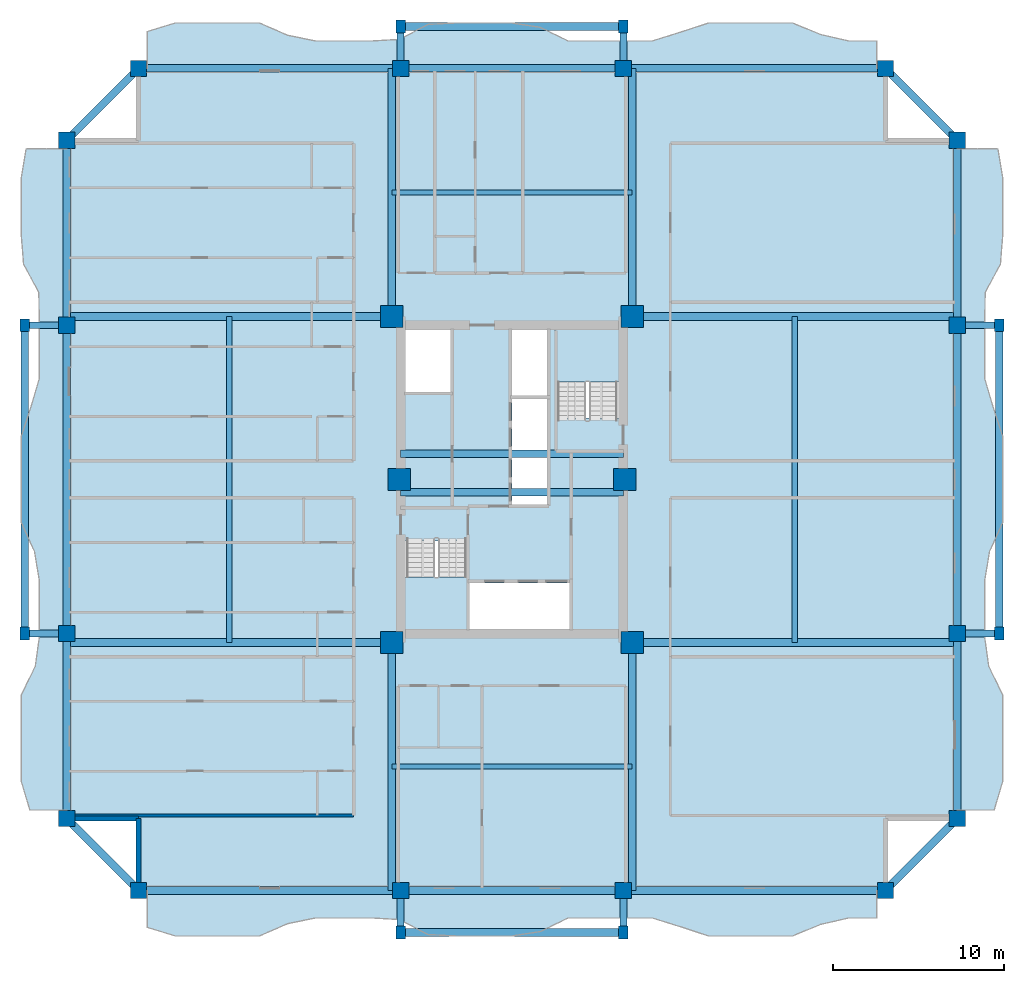
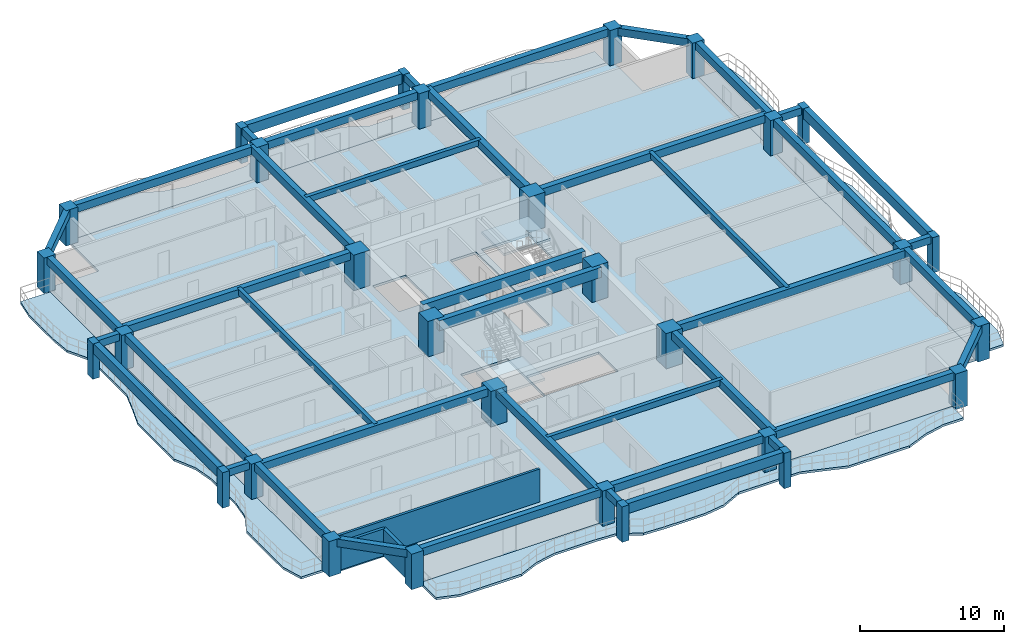
# One storey, part 1 of 11: 42 beams, 30 columns, 7 slabs, 3 walls, 2 elements without a shape of their own.
"""IFC4 building model written with IfcOpenShell, lengths in metres."""

from ifc_helpers import new_model, si_unit, direction, frame, frame_2d, origin, origin_2d, place, context, subcontext, project, spatial, polyline, rectangle, outline, extrude, source, transform, mapped, material, layer, layer_set, material_profile, profile_set, type_object, element, aggregate, save


model = new_model("IFC4")

# Units and contexts
model_context = context("Model", 3, precision=1e-05, world=origin(), true_north=direction((0.0, 1.0)))
body_context = subcontext(model_context, "Body", "Model", "MODEL_VIEW")
ifc_project = project(units=[si_unit("LENGTHUNIT", "METRE"), si_unit("AREAUNIT", "SQUARE_METRE"), si_unit("VOLUMEUNIT", "CUBIC_METRE"), si_unit("PLANEANGLEUNIT", "RADIAN"), si_unit("MASSUNIT", "GRAM", prefix="KILO")], contexts=[model_context])

# Site, building, storey
site_placement = place(None, origin())
site = spatial("IfcSite", under=ifc_project, at=site_placement, CompositionType="ELEMENT")
building_placement = place(site_placement, origin())
building = spatial("IfcBuilding", under=site, at=building_placement, Name="Saelheon Loggia Tower", CompositionType="ELEMENT")
storey_placement = place(building_placement, frame((0.0, 0.0, 138.75)))
storey = spatial("IfcBuildingStorey", under=building, at=storey_placement, Name="L44", CompositionType="ELEMENT", Elevation=138.75)

# Columns
ifc_material_1 = material(Name="Precast Concrete C45/55", Category="concrete")
ifc_material_profile_1 = material_profile(ifc_material_1, rectangle(XDim=0.550048828125, YDim=0.75, at=origin_2d()), Name="RC-550x750")
ifc_profile_set_1 = profile_set([ifc_material_profile_1], Name="Precast Concrete C45/55")
column_type_1 = type_object("IfcColumnType", Name="Col_Loggia_Pilaster_750", PredefinedType="PILASTER", material=ifc_profile_set_1)
shared_shape_1 = source(origin(), body_context, "Body", "SweptSolid", [
    extrude(rectangle(XDim=0.550048828125, YDim=0.75, at=origin_2d()), origin(), (0.0, 0.0, 1.0), 3.0),
])
for number, where, z_axis, x_axis, name in (
    (1, (31.5, 0.550048828125, 0.0), (0.0, 0.0, 1.0), (1.0, 0.0, 0.0), "L44 Loggia Frame Pilaster LP-S1"),
    (2, (44.5, 0.550048828125, 0.0), (0.0, 0.0, 1.0), (1.0, 0.0, 0.0), "L44 Loggia Frame Pilaster LP-S2"),
    (3, (31.5, 53.449951171875, 0.0), (0.0, 0.0, 1.0), (1.0, 0.0, 0.0), "L44 Loggia Frame Pilaster LP-N1"),
    (4, (44.5, 53.449951171875, 0.0), (0.0, 0.0, 1.0), (1.0, 0.0, 0.0), "L44 Loggia Frame Pilaster LP-N2"),
    (5, (66.449951171875, 18.0, 0.0), (0.0, 0.0, 1.0), (1.0, 0.0, 0.0), "L44 Loggia Frame Pilaster LP-E1"),
    (6, (66.449951171875, 36.0, 0.0), (0.0, 0.0, 1.0), (1.0, 0.0, 0.0), "L44 Loggia Frame Pilaster LP-E2"),
    (7, (9.550048828125, 18.0, 0.0), (0.0, 0.0, 1.0), (1.0, 0.0, 0.0), "L44 Loggia Frame Pilaster LP-W1"),
    (8, (9.550048828125, 36.0, 0.0), (0.0, 0.0, 1.0), (1.0, 0.0, 0.0), "L44 Loggia Frame Pilaster LP-W2"),
):
    element("IfcColumn", number, at=place(storey_placement, frame(where, z_axis=z_axis, x_axis=x_axis)), inside=storey, type_object=column_type_1, Name=name, PredefinedType="PILASTER", context=body_context, shape_type="MappedRepresentation", body=[
        mapped(shared_shape_1, transform((0.0, 0.0, 0.0), scale=1.0)),
    ])
ifc_material_2 = material(Name="Concrete C60/75", Category="concrete")
ifc_material_profile_2 = material_profile(ifc_material_2, rectangle(XDim=1.300048828125, YDim=1.300048828125, at=origin_2d()), Name="RC-1300x1300")
ifc_profile_set_2 = profile_set([ifc_material_profile_2], Name="Concrete C60/75")
column_type_2 = type_object("IfcColumnType", Name="Col_Core_RC1300", PredefinedType="COLUMN", material=ifc_profile_set_2)
shared_shape_2 = source(origin(), body_context, "Body", "SweptSolid", [
    extrude(rectangle(XDim=1.300048828125, YDim=1.300048828125, at=origin_2d()), origin(), (0.0, 0.0, 1.0), 3.0),
])
for number, where, z_axis, x_axis, name in (
    (9, (30.97998046875, 17.47998046875, 0.0), (0.0, 0.0, 1.0), (1.0, 0.0, 0.0), "L44 Core Column CR-SW"),
    (10, (45.02001953125, 17.47998046875, 0.0), (0.0, 0.0, 1.0), (1.0, 0.0, 0.0), "L44 Core Column CR-SE"),
    (11, (30.97998046875, 36.52001953125, 0.0), (0.0, 0.0, 1.0), (1.0, 0.0, 0.0), "L44 Core Column CR-NW"),
    (12, (45.02001953125, 36.52001953125, 0.0), (0.0, 0.0, 1.0), (1.0, 0.0, 0.0), "L44 Core Column CR-NE"),
    (13, (31.419921875, 27.0, 0.0), (0.0, 0.0, 1.0), (1.0, 0.0, 0.0), "L44 Core Column CR-MW"),
    (14, (44.580078125, 27.0, 0.0), (0.0, 0.0, 1.0), (1.0, 0.0, 0.0), "L44 Core Column CR-ME"),
):
    element("IfcColumn", number, at=place(storey_placement, frame(where, z_axis=z_axis, x_axis=x_axis)), inside=storey, type_object=column_type_2, Name=name, PredefinedType="COLUMN", context=body_context, shape_type="MappedRepresentation", body=[
        mapped(shared_shape_2, transform((0.0, 0.0, 0.0), scale=1.0)),
    ])
ifc_material_3 = material(Name="Concrete C50/60", Category="concrete")
ifc_material_profile_3 = material_profile(ifc_material_3, rectangle(XDim=0.949951171875, YDim=0.949951171875, at=origin_2d()), Name="RC-950x950")
ifc_profile_set_3 = profile_set([ifc_material_profile_3], Name="Concrete C50/60")
column_type_3 = type_object("IfcColumnType", Name="Col_Perim_RC950", PredefinedType="COLUMN", material=ifc_profile_set_3)
shared_shape_3 = source(origin(), body_context, "Body", "SweptSolid", [
    extrude(rectangle(XDim=0.949951171875, YDim=0.949951171875, at=origin_2d()), origin(), (0.0, 0.0, 1.0), 3.0),
])
for number, where, z_axis, x_axis, name in (
    (15, (16.199951171875, 3.0, 0.0), (0.0, 0.0, 1.0), (1.0, 0.0, 0.0), "L44 Perimeter Column TP-S1"),
    (16, (31.5, 3.0, 0.0), (0.0, 0.0, 1.0), (1.0, 0.0, 0.0), "L44 Perimeter Column TP-SA"),
    (17, (44.5, 3.0, 0.0), (0.0, 0.0, 1.0), (1.0, 0.0, 0.0), "L44 Perimeter Column TP-SB"),
    (18, (59.800048828125, 3.0, 0.0), (0.0, 0.0, 1.0), (1.0, 0.0, 0.0), "L44 Perimeter Column TP-S2"),
    (19, (64.0, 7.199951171875, 0.0), (0.0, 0.0, 1.0), (1.0, 0.0, 0.0), "L44 Perimeter Column TP-E1"),
    (20, (64.0, 18.0, 0.0), (0.0, 0.0, 1.0), (1.0, 0.0, 0.0), "L44 Perimeter Column TP-EA"),
    (21, (64.0, 36.0, 0.0), (0.0, 0.0, 1.0), (1.0, 0.0, 0.0), "L44 Perimeter Column TP-EB"),
    (22, (64.0, 46.800048828125, 0.0), (0.0, 0.0, 1.0), (1.0, 0.0, 0.0), "L44 Perimeter Column TP-E2"),
    (23, (59.800048828125, 51.0, 0.0), (0.0, 0.0, 1.0), (1.0, 0.0, 0.0), "L44 Perimeter Column TP-N2"),
    (24, (44.5, 51.0, 0.0), (0.0, 0.0, 1.0), (1.0, 0.0, 0.0), "L44 Perimeter Column TP-NB"),
    (25, (31.5, 51.0, 0.0), (0.0, 0.0, 1.0), (1.0, 0.0, 0.0), "L44 Perimeter Column TP-NA"),
    (26, (16.199951171875, 51.0, 0.0), (0.0, 0.0, 1.0), (1.0, 0.0, 0.0), "L44 Perimeter Column TP-N1"),
    (27, (12.0, 46.800048828125, 0.0), (0.0, 0.0, 1.0), (1.0, 0.0, 0.0), "L44 Perimeter Column TP-W2"),
    (28, (12.0, 36.0, 0.0), (0.0, 0.0, 1.0), (1.0, 0.0, 0.0), "L44 Perimeter Column TP-WB"),
    (29, (12.0, 18.0, 0.0), (0.0, 0.0, 1.0), (1.0, 0.0, 0.0), "L44 Perimeter Column TP-WA"),
    (30, (12.0, 7.199951171875, 0.0), (0.0, 0.0, 1.0), (1.0, 0.0, 0.0), "L44 Perimeter Column TP-W1"),
):
    element("IfcColumn", number, at=place(storey_placement, frame(where, z_axis=z_axis, x_axis=x_axis)), inside=storey, type_object=column_type_3, Name=name, PredefinedType="COLUMN", context=body_context, shape_type="MappedRepresentation", body=[
        mapped(shared_shape_3, transform((0.0, 0.0, 0.0), scale=1.0)),
    ])

# Beams
ifc_material_profile_4 = material_profile(ifc_material_3, rectangle(XDim=0.449951171875, YDim=0.85009765625, at=origin_2d()), Name="RC-450x850")
ifc_profile_set_4 = profile_set([ifc_material_profile_4], Name="Concrete C50/60")
beam_type_1 = type_object("IfcBeamType", Name="Beam_CoreLintel_RC450x850", PredefinedType="LINTEL", material=ifc_profile_set_4)
shared_shape_4 = source(origin(), body_context, "Body", "SweptSolid", [
    extrude(rectangle(XDim=0.449951171875, YDim=0.85009765625, at=origin_2d()), origin(), (0.0, 0.0, 1.0), 13.0),
])
for number, where, z_axis, x_axis, name in (
    (31, (31.5, 26.25, 2.574951171875), (1.0, 0.0, 0.0), (0.0, 1.0, 0.0), "L44 Core Coupling Lintel 1"),
    (32, (31.5, 28.5, 2.574951171875), (1.0, 0.0, 0.0), (0.0, 1.0, 0.0), "L44 Core Coupling Lintel 2"),
):
    element("IfcBeam", number, at=place(storey_placement, frame(where, z_axis=z_axis, x_axis=x_axis)), inside=storey, type_object=beam_type_1, Name=name, PredefinedType="LINTEL", context=body_context, shape_type="MappedRepresentation", body=[
        mapped(shared_shape_4, transform((0.0, 0.0, 0.0), scale=1.0)),
    ])
ifc_material_profile_5 = material_profile(ifc_material_1, rectangle(XDim=0.449951171875, YDim=0.85009765625, at=origin_2d()), Name="RC-450x850")
ifc_profile_set_5 = profile_set([ifc_material_profile_5], Name="Precast Concrete C45/55")
beam_type_2 = type_object("IfcBeamType", Name="Beam_LoggiaSpandrel_RC450x850", PredefinedType="SPANDREL", material=ifc_profile_set_5)
for number, where, z_axis, x_axis, name in (
    (33, (31.5, 0.550048828125, 2.574951171875), (1.0, 0.0, 0.0), (0.0, 1.0, 0.0), "L44 Loggia Spandrel Beam S"),
    (34, (31.5, 53.449951171875, 2.574951171875), (1.0, 0.0, 0.0), (0.0, 1.0, 0.0), "L44 Loggia Spandrel Beam N"),
):
    element("IfcBeam", number, at=place(storey_placement, frame(where, z_axis=z_axis, x_axis=x_axis)), inside=storey, type_object=beam_type_2, Name=name, PredefinedType="SPANDREL", context=body_context, shape_type="MappedRepresentation", body=[
        mapped(shared_shape_4, transform((0.0, 0.0, 0.0), scale=1.0)),
    ])
ifc_material_profile_6 = material_profile(ifc_material_1, rectangle(XDim=0.39990234375, YDim=0.60009765625, at=origin_2d()), Name="RC-400x600")
ifc_profile_set_6 = profile_set([ifc_material_profile_6], Name="Precast Concrete C45/55")
beam_type_3 = type_object("IfcBeamType", Name="Beam_LoggiaTie_RC400x600", PredefinedType="BEAM", material=ifc_profile_set_6)
shared_shape_5 = source(origin(), body_context, "Body", "SweptSolid", [
    extrude(rectangle(XDim=0.39990234375, YDim=0.60009765625, at=origin_2d()), origin(), (0.0, 0.0, 1.0), 2.449951171875),
])
for number, where, z_axis, x_axis, name in (
    (35, (31.5, 3.0, 2.699951171875), (0.0, -1.0, 0.0), (1.0, 0.0, 0.0), "L44 Loggia Frame Tie Beam LP-S1"),
    (36, (44.5, 3.0, 2.699951171875), (0.0, -1.0, 0.0), (1.0, 0.0, 0.0), "L44 Loggia Frame Tie Beam LP-S2"),
    (37, (31.5, 51.0, 2.699951171875), (0.0, 1.0, 0.0), (-1.0, 0.0, 0.0), "L44 Loggia Frame Tie Beam LP-N1"),
    (38, (44.5, 51.0, 2.699951171875), (0.0, 1.0, 0.0), (-1.0, 0.0, 0.0), "L44 Loggia Frame Tie Beam LP-N2"),
    (39, (64.0, 18.0, 2.699951171875), (1.0, 0.0, 0.0), (0.0, 1.0, 0.0), "L44 Loggia Frame Tie Beam LP-E1"),
    (40, (64.0, 36.0, 2.699951171875), (1.0, 0.0, 0.0), (0.0, 1.0, 0.0), "L44 Loggia Frame Tie Beam LP-E2"),
    (41, (12.0, 18.0, 2.699951171875), (-1.0, 0.0, 0.0), (0.0, -1.0, 0.0), "L44 Loggia Frame Tie Beam LP-W1"),
    (42, (12.0, 36.0, 2.699951171875), (-1.0, 0.0, 0.0), (0.0, -1.0, 0.0), "L44 Loggia Frame Tie Beam LP-W2"),
):
    element("IfcBeam", number, at=place(storey_placement, frame(where, z_axis=z_axis, x_axis=x_axis)), inside=storey, type_object=beam_type_3, Name=name, PredefinedType="BEAM", context=body_context, shape_type="MappedRepresentation", body=[
        mapped(shared_shape_5, transform((0.0, 0.0, 0.0), scale=1.0)),
    ])
shared_shape_6 = source(origin(), body_context, "Body", "SweptSolid", [
    extrude(rectangle(XDim=0.449951171875, YDim=0.85009765625, at=origin_2d()), origin(), (0.0, 0.0, 1.0), 18.0),
])
for number, where, z_axis, x_axis, name in (
    (43, (66.449951171875, 18.0, 2.574951171875), (0.0, 1.0, 0.0), (-1.0, 0.0, 0.0), "L44 Loggia Spandrel Beam E"),
    (44, (9.550048828125, 18.0, 2.574951171875), (0.0, 1.0, 0.0), (-1.0, 0.0, 0.0), "L44 Loggia Spandrel Beam W"),
):
    element("IfcBeam", number, at=place(storey_placement, frame(where, z_axis=z_axis, x_axis=x_axis)), inside=storey, type_object=beam_type_2, Name=name, PredefinedType="SPANDREL", context=body_context, shape_type="MappedRepresentation", body=[
        mapped(shared_shape_6, transform((0.0, 0.0, 0.0), scale=1.0)),
    ])
ifc_material_4 = material(Name="Concrete C40/50", Category="concrete")
ifc_material_profile_7 = material_profile(ifc_material_4, rectangle(XDim=0.449951171875, YDim=0.64990234375, at=origin_2d()), Name="RC-450x650")
ifc_profile_set_7 = profile_set([ifc_material_profile_7], Name="Concrete C40/50")
beam_type_4 = type_object("IfcBeamType", Name="Beam_PerimTower_RC450x650", PredefinedType="BEAM", material=ifc_profile_set_7)
shared_shape_7 = source(origin(), body_context, "Body", "SweptSolid", [
    extrude(rectangle(XDim=0.449951171875, YDim=0.64990234375, at=origin_2d()), origin(), (0.0, 0.0, 1.0), 15.300048828125),
])
for number, where, z_axis, x_axis, name in (
    (45, (16.199951171875, 3.0, 2.675048828125), (1.0, 0.0, 0.0), (0.0, 1.0, 0.0), "L44 Perimeter Frame Girder 01"),
    (46, (44.5, 3.0, 2.675048828125), (1.0, 0.0, 0.0), (0.0, 1.0, 0.0), "L44 Perimeter Frame Girder 03"),
    (47, (59.800048828125, 51.0, 2.675048828125), (-1.0, 0.0, 0.0), (0.0, -1.0, 0.0), "L44 Perimeter Frame Girder 09"),
    (48, (31.5, 51.0, 2.675048828125), (-1.0, 0.0, 0.0), (0.0, -1.0, 0.0), "L44 Perimeter Frame Girder 11"),
):
    element("IfcBeam", number, at=place(storey_placement, frame(where, z_axis=z_axis, x_axis=x_axis)), inside=storey, type_object=beam_type_4, Name=name, PredefinedType="BEAM", context=body_context, shape_type="MappedRepresentation", body=[
        mapped(shared_shape_7, transform((0.0, 0.0, 0.0), scale=1.0)),
    ])
shared_shape_8 = source(origin(), body_context, "Body", "SweptSolid", [
    extrude(rectangle(XDim=0.449951171875, YDim=0.64990234375, at=origin_2d()), origin(), (0.0, 0.0, 1.0), 13.0),
])
for number, where, z_axis, x_axis, name in (
    (49, (31.5, 3.0, 2.675048828125), (1.0, 0.0, 0.0), (0.0, 1.0, 0.0), "L44 Perimeter Frame Girder 02"),
    (50, (44.5, 51.0, 2.675048828125), (-1.0, 0.0, 0.0), (0.0, -1.0, 0.0), "L44 Perimeter Frame Girder 10"),
):
    element("IfcBeam", number, at=place(storey_placement, frame(where, z_axis=z_axis, x_axis=x_axis)), inside=storey, type_object=beam_type_4, Name=name, PredefinedType="BEAM", context=body_context, shape_type="MappedRepresentation", body=[
        mapped(shared_shape_8, transform((0.0, 0.0, 0.0), scale=1.0)),
    ])
shared_shape_9 = source(origin(), body_context, "Body", "SweptSolid", [
    extrude(rectangle(XDim=0.449951171875, YDim=0.64990234375, at=origin_2d()), origin(), (0.0, 0.0, 1.0), 5.939697265625),
])
for number, where, z_axis, x_axis, name in (
    (51, (59.800048828125, 3.0, 2.675048828125), (0.707106781187, 0.707106781187, 0.0), (-0.707106781187, 0.707106781187, 0.0), "L44 Perimeter Frame Girder 04"),
    (52, (64.0, 46.800048828125, 2.675048828125), (-0.707106781187, 0.707106781187, 0.0), (-0.707106781187, -0.707106781187, 0.0), "L44 Perimeter Frame Girder 08"),
    (53, (16.199951171875, 51.0, 2.675048828125), (-0.707106781187, -0.707106781187, 0.0), (0.707106781187, -0.707106781187, 0.0), "L44 Perimeter Frame Girder 12"),
    (54, (12.0, 7.199951171875, 2.675048828125), (0.707106781187, -0.707106781187, 0.0), (0.707106781187, 0.707106781187, 0.0), "L44 Perimeter Frame Girder 16"),
):
    element("IfcBeam", number, at=place(storey_placement, frame(where, z_axis=z_axis, x_axis=x_axis)), inside=storey, type_object=beam_type_4, Name=name, PredefinedType="BEAM", context=body_context, shape_type="MappedRepresentation", body=[
        mapped(shared_shape_9, transform((0.0, 0.0, 0.0), scale=1.0)),
    ])
shared_shape_10 = source(origin(), body_context, "Body", "SweptSolid", [
    extrude(rectangle(XDim=0.449951171875, YDim=0.64990234375, at=origin_2d()), origin(), (0.0, 0.0, 1.0), 10.800048828125),
])
for number, where, z_axis, x_axis, name in (
    (55, (64.0, 7.199951171875, 2.675048828125), (0.0, 1.0, 0.0), (-1.0, 0.0, 0.0), "L44 Perimeter Frame Girder 05"),
    (56, (64.0, 36.0, 2.675048828125), (0.0, 1.0, 0.0), (-1.0, 0.0, 0.0), "L44 Perimeter Frame Girder 07"),
    (57, (12.0, 46.800048828125, 2.675048828125), (0.0, -1.0, 0.0), (1.0, 0.0, 0.0), "L44 Perimeter Frame Girder 13"),
    (58, (12.0, 18.0, 2.675048828125), (0.0, -1.0, 0.0), (1.0, 0.0, 0.0), "L44 Perimeter Frame Girder 15"),
):
    element("IfcBeam", number, at=place(storey_placement, frame(where, z_axis=z_axis, x_axis=x_axis)), inside=storey, type_object=beam_type_4, Name=name, PredefinedType="BEAM", context=body_context, shape_type="MappedRepresentation", body=[
        mapped(shared_shape_10, transform((0.0, 0.0, 0.0), scale=1.0)),
    ])
shared_shape_11 = source(origin(), body_context, "Body", "SweptSolid", [
    extrude(rectangle(XDim=0.449951171875, YDim=0.64990234375, at=origin_2d()), origin(), (0.0, 0.0, 1.0), 18.0),
])
for number, where, z_axis, x_axis, name in (
    (59, (64.0, 18.0, 2.675048828125), (0.0, 1.0, 0.0), (-1.0, 0.0, 0.0), "L44 Perimeter Frame Girder 06"),
    (60, (12.0, 36.0, 2.675048828125), (0.0, -1.0, 0.0), (1.0, 0.0, 0.0), "L44 Perimeter Frame Girder 14"),
):
    element("IfcBeam", number, at=place(storey_placement, frame(where, z_axis=z_axis, x_axis=x_axis)), inside=storey, type_object=beam_type_4, Name=name, PredefinedType="BEAM", context=body_context, shape_type="MappedRepresentation", body=[
        mapped(shared_shape_11, transform((0.0, 0.0, 0.0), scale=1.0)),
    ])
ifc_material_profile_8 = material_profile(ifc_material_4, rectangle(XDim=0.449951171875, YDim=0.64990234375, at=origin_2d()), Name="RC-450x650")
ifc_profile_set_8 = profile_set([ifc_material_profile_8], Name="Concrete C40/50")
beam_type_5 = type_object("IfcBeamType", Name="Beam_TowerGirder_RC450x650", PredefinedType="BEAM", material=ifc_profile_set_8)
shared_shape_12 = source(origin(), body_context, "Body", "SweptSolid", [
    extrude(rectangle(XDim=0.449951171875, YDim=0.64990234375, at=origin_2d()), origin(), (0.0, 0.0, 1.0), 14.47998046875),
])
for number, where, z_axis, x_axis, name in (
    (61, (30.97998046875, 17.47998046875, 2.675048828125), (0.0, -1.0, 0.0), (1.0, 0.0, 0.0), "L44 Radial Floor Girder RAD-SW-S"),
    (62, (45.02001953125, 17.47998046875, 2.675048828125), (0.0, -1.0, 0.0), (1.0, 0.0, 0.0), "L44 Radial Floor Girder RAD-SE-S"),
    (63, (30.97998046875, 36.52001953125, 2.675048828125), (0.0, 1.0, 0.0), (-1.0, 0.0, 0.0), "L44 Radial Floor Girder RAD-NW-N"),
    (64, (45.02001953125, 36.52001953125, 2.675048828125), (0.0, 1.0, 0.0), (-1.0, 0.0, 0.0), "L44 Radial Floor Girder RAD-NE-N"),
):
    element("IfcBeam", number, at=place(storey_placement, frame(where, z_axis=z_axis, x_axis=x_axis)), inside=storey, type_object=beam_type_5, Name=name, PredefinedType="BEAM", context=body_context, shape_type="MappedRepresentation", body=[
        mapped(shared_shape_12, transform((0.0, 0.0, 0.0), scale=1.0)),
    ])
shared_shape_13 = source(origin(), body_context, "Body", "SweptSolid", [
    extrude(rectangle(XDim=0.449951171875, YDim=0.64990234375, at=origin_2d()), origin(), (0.0, 0.0, 1.0), 18.97998046875),
])
for number, where, z_axis, x_axis, name in (
    (65, (30.97998046875, 17.47998046875, 2.675048828125), (-1.0, 0.0, 0.0), (0.0, -1.0, 0.0), "L44 Radial Floor Girder RAD-SW-W"),
    (66, (30.97998046875, 36.52001953125, 2.675048828125), (-1.0, 0.0, 0.0), (0.0, -1.0, 0.0), "L44 Radial Floor Girder RAD-NW-W"),
    (67, (45.02001953125, 17.47998046875, 2.675048828125), (1.0, 0.0, 0.0), (0.0, 1.0, 0.0), "L44 Radial Floor Girder RAD-SE-E"),
    (68, (45.02001953125, 36.52001953125, 2.675048828125), (1.0, 0.0, 0.0), (0.0, 1.0, 0.0), "L44 Radial Floor Girder RAD-NE-E"),
):
    element("IfcBeam", number, at=place(storey_placement, frame(where, z_axis=z_axis, x_axis=x_axis)), inside=storey, type_object=beam_type_5, Name=name, PredefinedType="BEAM", context=body_context, shape_type="MappedRepresentation", body=[
        mapped(shared_shape_13, transform((0.0, 0.0, 0.0), scale=1.0)),
    ])
ifc_material_profile_9 = material_profile(ifc_material_4, rectangle(XDim=0.300048828125, YDim=0.5, at=origin_2d()), Name="RC-300x500")
ifc_profile_set_9 = profile_set([ifc_material_profile_9], Name="Concrete C40/50")
beam_type_6 = type_object("IfcBeamType", Name="Beam_Joist_RC300x500", PredefinedType="JOIST", material=ifc_profile_set_9)
shared_shape_14 = source(origin(), body_context, "Body", "SweptSolid", [
    extrude(rectangle(XDim=0.300048828125, YDim=0.5, at=origin_2d()), origin(), (0.0, 0.0, 1.0), 14.0400390625),
])
for number, where, z_axis, x_axis, name in (
    (69, (30.97998046875, 10.239990234375, 2.75), (1.0, 0.0, 0.0), (0.0, 1.0, 0.0), "L44 South Floor Joist"),
    (70, (30.97998046875, 43.760009765625, 2.75), (1.0, 0.0, 0.0), (0.0, 1.0, 0.0), "L44 North Floor Joist"),
):
    element("IfcBeam", number, at=place(storey_placement, frame(where, z_axis=z_axis, x_axis=x_axis)), inside=storey, type_object=beam_type_6, Name=name, PredefinedType="JOIST", context=body_context, shape_type="MappedRepresentation", body=[
        mapped(shared_shape_14, transform((0.0, 0.0, 0.0), scale=1.0)),
    ])
shared_shape_15 = source(origin(), body_context, "Body", "SweptSolid", [
    extrude(rectangle(XDim=0.300048828125, YDim=0.5, at=origin_2d()), origin(), (0.0, 0.0, 1.0), 19.0400390625),
])
for number, where, z_axis, x_axis, name in (
    (71, (21.489990234375, 17.47998046875, 2.75), (0.0, 1.0, 0.0), (-1.0, 0.0, 0.0), "L44 West Floor Joist"),
    (72, (54.510009765625, 17.47998046875, 2.75), (0.0, 1.0, 0.0), (-1.0, 0.0, 0.0), "L44 East Floor Joist"),
):
    element("IfcBeam", number, at=place(storey_placement, frame(where, z_axis=z_axis, x_axis=x_axis)), inside=storey, type_object=beam_type_6, Name=name, PredefinedType="JOIST", context=body_context, shape_type="MappedRepresentation", body=[
        mapped(shared_shape_15, transform((0.0, 0.0, 0.0), scale=1.0)),
    ])

# Slabs
ifc_layer_1 = layer(ifc_material_1, 0.18994140625)
ifc_layer_set_1 = layer_set([ifc_layer_1], Name="Precast Concrete C45/55")
slab_type_1 = type_object("IfcSlabType", Name="Slab_Loggia_Ext_190", PredefinedType="FLOOR", material=ifc_layer_set_1)
slab_1_placement = place(storey_placement, frame((0.0, 0.0, -0.18994140625)))
element("IfcSlab", 73, at=slab_1_placement, inside=storey, type_object=slab_type_1, Name="L44 Loggia Balcony Slab S", PredefinedType="FLOOR", context=body_context, shape_type="SweptSolid", body=[
    extrude(outline(polyline([(16.699951171875, 0.85009765625), (18.33837890625, 0.35009765625), (19.976806640625, 0.35009765625), (21.615478515625, 0.35009765625), (23.25390625, 0.35009765625), (24.892333984375, 1.0625), (26.53076171875, 1.39990234375), (28.169189453125, 1.39990234375), (29.8076171875, 1.39990234375), (31.4462890625, 1.30517578125), (33.084716796875, 0.430419921875), (34.72314453125, 0.35009765625), (36.361572265625, 0.35009765625), (38.0, 0.35009765625), (39.638427734375, 0.6005859375), (41.27685546875, 1.39990234375), (42.915283203125, 1.39990234375), (44.5537109375, 1.39990234375), (46.1923828125, 1.39990234375), (47.830810546875, 0.8876953125), (49.46923828125, 0.35009765625), (51.107666015625, 0.35009765625), (52.74609375, 0.35009765625), (54.384521484375, 0.35009765625), (56.023193359375, 1.025146484375), (57.66162109375, 1.39990234375), (59.300048828125, 1.39990234375), (59.300048828125, 3.0), (16.699951171875, 3.0), (16.699951171875, 0.85009765625)])), origin(), (0.0, 0.0, 1.0), 0.18994140625),
])
slab_2_placement = place(storey_placement, frame((0.0, 0.0, -0.18994140625)))
element("IfcSlab", 74, at=slab_2_placement, inside=storey, type_object=slab_type_1, Name="L44 Loggia Balcony Slab N", PredefinedType="FLOOR", context=body_context, shape_type="SweptSolid", body=[
    extrude(outline(polyline([(16.699951171875, 51.0), (59.300048828125, 51.0), (59.300048828125, 52.60009765625), (57.66162109375, 52.60009765625), (56.023193359375, 52.974853515625), (54.384521484375, 53.64990234375), (52.74609375, 53.64990234375), (51.107666015625, 53.64990234375), (49.46923828125, 53.64990234375), (47.830810546875, 53.1123046875), (46.1923828125, 52.60009765625), (44.5537109375, 52.60009765625), (42.915283203125, 52.60009765625), (41.27685546875, 52.60009765625), (39.638427734375, 53.3994140625), (38.0, 53.64990234375), (36.361572265625, 53.64990234375), (34.72314453125, 53.64990234375), (33.084716796875, 53.569580078125), (31.4462890625, 52.69482421875), (29.8076171875, 52.60009765625), (28.169189453125, 52.60009765625), (26.53076171875, 52.60009765625), (24.892333984375, 52.9375), (23.25390625, 53.64990234375), (21.615478515625, 53.64990234375), (19.976806640625, 53.64990234375), (18.33837890625, 53.64990234375), (16.699951171875, 53.14990234375), (16.699951171875, 51.0)])), origin(), (0.0, 0.0, 1.0), 0.18994140625),
])
slab_3_placement = place(storey_placement, frame((0.0, 0.0, -0.18994140625)))
element("IfcSlab", 75, at=slab_3_placement, inside=storey, type_object=slab_type_1, Name="L44 Loggia Balcony Slab E", PredefinedType="FLOOR", context=body_context, shape_type="SweptSolid", body=[
    extrude(outline(polyline([(64.0, 7.699951171875), (66.14990234375, 7.699951171875), (66.64990234375, 9.37841796875), (66.64990234375, 11.056396484375), (66.64990234375, 12.73486328125), (66.64990234375, 14.4130859375), (65.83154296875, 16.09130859375), (65.60009765625, 17.76953125), (65.60009765625, 19.44775390625), (65.60009765625, 21.126220703125), (65.88232421875, 22.80419921875), (66.64990234375, 24.482666015625), (66.64990234375, 26.160888671875), (66.64990234375, 27.839111328125), (66.64990234375, 29.517333984375), (66.097900390625, 31.19580078125), (65.60009765625, 32.873779296875), (65.60009765625, 34.55224609375), (65.60009765625, 36.23046875), (65.625244140625, 37.90869140625), (66.518798828125, 39.5869140625), (66.64990234375, 41.26513671875), (66.64990234375, 42.943603515625), (66.64990234375, 44.62158203125), (66.36669921875, 46.300048828125), (64.0, 46.300048828125), (64.0, 7.699951171875)])), origin(), (0.0, 0.0, 1.0), 0.18994140625),
])
slab_4_placement = place(storey_placement, frame((0.0, 0.0, -0.18994140625)))
element("IfcSlab", 76, at=slab_4_placement, inside=storey, type_object=slab_type_1, Name="L44 Loggia Balcony Slab W", PredefinedType="FLOOR", context=body_context, shape_type="SweptSolid", body=[
    extrude(outline(polyline([(12.0, 7.699951171875), (12.0, 46.300048828125), (9.63330078125, 46.300048828125), (9.35009765625, 44.62158203125), (9.35009765625, 42.943603515625), (9.35009765625, 41.26513671875), (9.481201171875, 39.5869140625), (10.374755859375, 37.90869140625), (10.39990234375, 36.23046875), (10.39990234375, 34.55224609375), (10.39990234375, 32.873779296875), (9.902099609375, 31.19580078125), (9.35009765625, 29.517333984375), (9.35009765625, 27.839111328125), (9.35009765625, 26.160888671875), (9.35009765625, 24.482666015625), (10.11767578125, 22.80419921875), (10.39990234375, 21.126220703125), (10.39990234375, 19.44775390625), (10.39990234375, 17.76953125), (10.16845703125, 16.09130859375), (9.35009765625, 14.4130859375), (9.35009765625, 12.73486328125), (9.35009765625, 11.056396484375), (9.35009765625, 9.37841796875), (9.85009765625, 7.699951171875), (12.0, 7.699951171875)])), origin(), (0.0, 0.0, 1.0), 0.18994140625),
])

# Stair, slab
stair_type = type_object("IfcStairType", Name="Stair_Escape_Core", PredefinedType="HALF_TURN_STAIR", material=ifc_material_4)
stair_1_placement = place(storey_placement, origin())
stair_1 = element("IfcStair", 77, at=stair_1_placement, inside=storey, type_object=stair_type, Name="L44 Special Escape Stair ST1", PredefinedType="HALF_TURN_STAIR")
ifc_layer_2 = layer(ifc_material_4, 0.199951171875)
ifc_layer_set_2 = layer_set([ifc_layer_2], Name="Concrete C40/50")
slab_type_2 = type_object("IfcSlabType", Name="Slab_StairLanding_ST1", PredefinedType="LANDING", material=ifc_layer_set_2)
slab_5_placement = place(storey_placement, frame((0.0, 0.0, 1.300048828125)))
slab_5 = element("IfcSlab", 78, at=slab_5_placement, type_object=slab_type_2, Name="ST1 landing 1", PredefinedType="LANDING", context=body_context, shape_type="SweptSolid", body=[
    extrude(outline(polyline([(31.7099609375, 21.31005859375), (31.7099609375, 18.2099609375), (35.469970703125, 18.2099609375), (35.469970703125, 21.31005859375), (31.7099609375, 21.31005859375)])), origin(), (0.0, 0.0, 1.0), 0.199951171875),
])
aggregate(stair_1, [slab_5])

stair_2_placement = place(storey_placement, origin())
stair_2 = element("IfcStair", 79, at=stair_2_placement, inside=storey, type_object=stair_type, Name="L44 Special Escape Stair ST2", PredefinedType="HALF_TURN_STAIR")
ifc_layer_3 = layer(ifc_material_4, 0.199951171875)
ifc_layer_set_3 = layer_set([ifc_layer_3], Name="Concrete C40/50")
slab_type_3 = type_object("IfcSlabType", Name="Slab_StairLanding_ST2", PredefinedType="LANDING", material=ifc_layer_set_3)
slab_6_placement = place(storey_placement, frame((0.0, 0.0, 1.300048828125)))
slab_6 = element("IfcSlab", 80, at=slab_6_placement, type_object=slab_type_3, Name="ST2 landing 1", PredefinedType="LANDING", context=body_context, shape_type="SweptSolid", body=[
    extrude(outline(polyline([(44.2900390625, 32.68994140625), (44.2900390625, 35.7900390625), (40.530029296875, 35.7900390625), (40.530029296875, 32.68994140625), (44.2900390625, 32.68994140625)])), origin(), (0.0, 0.0, 1.0), 0.199951171875),
])
aggregate(stair_2, [slab_6])

# Slab
ifc_layer_4 = layer(ifc_material_4, 0.2099609375)
ifc_layer_set_4 = layer_set([ifc_layer_4], Name="Concrete C40/50")
slab_type_4 = type_object("IfcSlabType", Name="Slab_Tower_210", PredefinedType="FLOOR", material=ifc_layer_set_4)
slab_7_placement = place(storey_placement, frame((0.0, 0.0, -0.2099609375)))
element("IfcSlab", 81, at=slab_7_placement, inside=storey, type_object=slab_type_4, Name="L44 Tower Floor Slab", PredefinedType="FLOOR", context=body_context, shape_type="SweptSolid", body=[
    extrude(outline(polyline([(16.199951171875, 3.0), (59.800048828125, 3.0), (59.800048828125, 7.199951171875), (64.0, 7.199951171875), (64.0, 46.800048828125), (59.800048828125, 46.800048828125), (59.800048828125, 51.0), (16.199951171875, 51.0), (16.199951171875, 46.800048828125), (12.0, 46.800048828125), (12.0, 7.199951171875), (16.199951171875, 7.199951171875), (16.199951171875, 3.0)]), holes=[polyline([(31.699951171875, 23.409912109375), (31.699951171875, 18.199951171875), (35.47998046875, 18.199951171875), (35.47998046875, 23.409912109375), (31.699951171875, 23.409912109375)]), polyline([(44.300048828125, 30.590087890625), (44.300048828125, 35.800048828125), (40.52001953125, 35.800048828125), (40.52001953125, 30.590087890625), (44.300048828125, 30.590087890625)]), polyline([(35.530029296875, 18.27490234375), (41.35009765625, 18.27490234375), (41.35009765625, 20.9599609375), (35.530029296875, 20.9599609375), (35.530029296875, 18.27490234375)]), polyline([(31.77490234375, 32.1201171875), (34.419921875, 32.1201171875), (34.419921875, 35.72509765625), (31.77490234375, 35.72509765625), (31.77490234375, 32.1201171875)]), polyline([(38.0, 31.89990234375), (40.050048828125, 31.89990234375), (40.050048828125, 35.72509765625), (38.0, 35.72509765625), (38.0, 31.89990234375)]), polyline([(38.0, 25.5400390625), (40.050048828125, 25.5400390625), (40.050048828125, 31.699951171875), (38.0, 31.699951171875), (38.0, 25.5400390625)])]), origin(), (0.0, 0.0, 1.0), 0.2099609375),
])

# Walls
ifc_material_5 = material(Name="Architectural Precast Concrete C40/50", Category="concrete")
ifc_layer_5 = layer(ifc_material_5, 0.280029296875)
ifc_layer_set_5 = layer_set([ifc_layer_5], Name="Architectural Precast Concrete C40/50")
wall_type_1 = type_object("IfcWallType", Name="Wall_Ext_Loggia_280", PredefinedType="SOLIDWALL", material=ifc_layer_set_5)
for number, where, z_axis, x_axis, name in (
    (82, (16.199951171875, 3.080078125, 0.0), (0.0, 0.0, 1.0), (0.0, 1.0, 0.0), "L44 Corner Notch Precast Wall SW1"),
    (83, (12.080078125, 7.199951171875, 0.0), (0.0, 0.0, 1.0), (1.0, 0.0, 0.0), "L44 Corner Notch Precast Wall SW2"),
):
    element("IfcWall", number, at=place(storey_placement, frame(where, z_axis=z_axis, x_axis=x_axis)), inside=storey, type_object=wall_type_1, Name=name, PredefinedType="SOLIDWALL", context=body_context, shape_type="SweptSolid", body=[
        extrude(rectangle(XDim=4.119873046875, YDim=0.280029296875, at=frame_2d((2.06005859375, 0.0))), origin(), (0.0, 0.0, 1.0), 2.280029296875),
    ])
ifc_material_6 = material(Name="Double Acoustic Stud and Fireboard Partition", Category="gypsum")
ifc_layer_6 = layer(ifc_material_6, 0.199951171875)
ifc_layer_set_6 = layer_set([ifc_layer_6], Name="Double Acoustic Stud and Fireboard Partition")
wall_type_2 = type_object("IfcWallType", Name="Wall_Party_200", PredefinedType="PARTITIONING", material=ifc_layer_set_6)
wall_placement = place(storey_placement, frame((28.75, 7.3798828125, 0.0), z_axis=(0.0, 0.0, 1.0), x_axis=(-1.0, 0.0, 0.0)))
element("IfcWall", 84, at=wall_placement, inside=storey, type_object=wall_type_2, Name="L44 WS Partition U01", PredefinedType="PARTITIONING", context=body_context, shape_type="SweptSolid", body=[
    extrude(rectangle(XDim=16.60009765625, YDim=0.199951171875, at=frame_2d((8.300048828125, 0.0))), origin(), (0.0, 0.0, 1.0), 2.7900390625),
])

save(model, "model.ifc")
